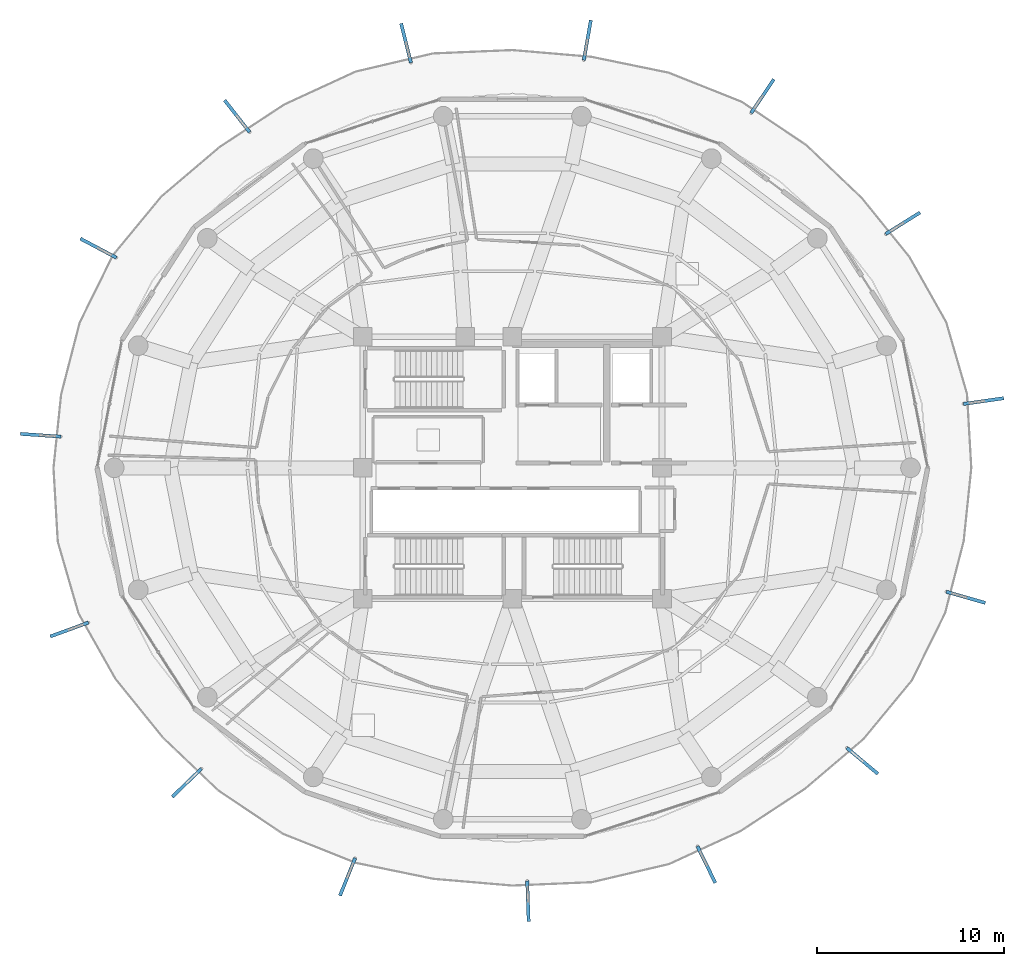
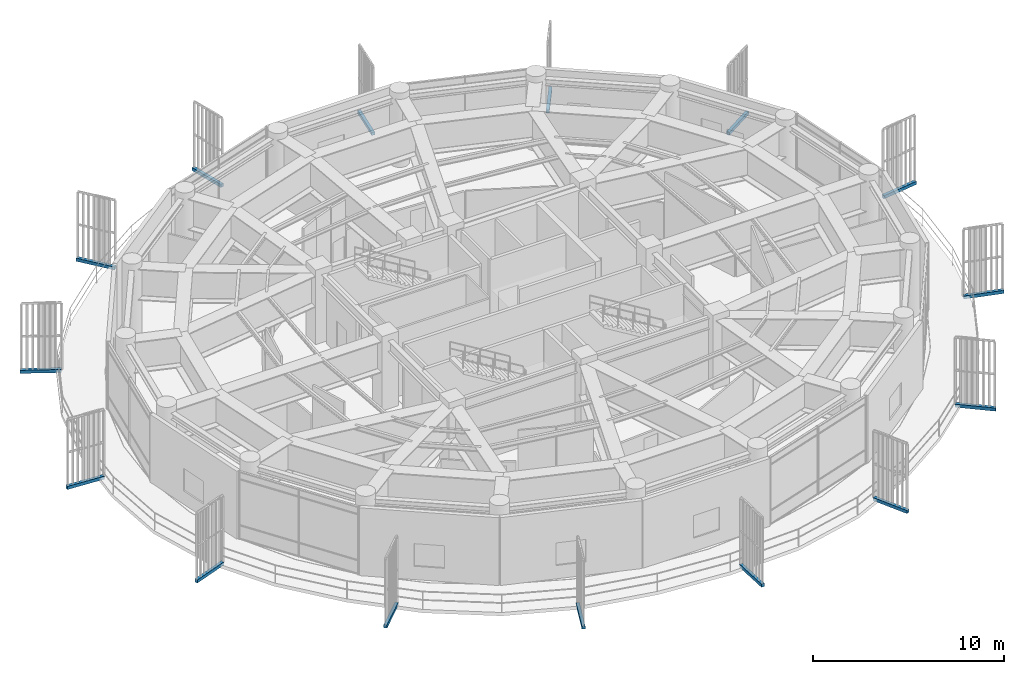
# One storey, part 25 of 29: 15 discrete accessories.
"""IFC4 building model written with IfcOpenShell, lengths in metres."""

from ifc_helpers import new_model, si_unit, direction, frame, origin, origin_2d, place, context, subcontext, project, spatial, rectangle, extrude, source, transform, mapped, material, type_object, element, save


model = new_model("IFC4")

# Units and contexts
model_context = context("Model", 3, precision=1e-05, world=origin(), true_north=direction((0.0, 1.0)))
body_context = subcontext(model_context, "Body", "Model", "MODEL_VIEW")
ifc_project = project(units=[si_unit("LENGTHUNIT", "METRE"), si_unit("AREAUNIT", "SQUARE_METRE"), si_unit("VOLUMEUNIT", "CUBIC_METRE"), si_unit("PLANEANGLEUNIT", "RADIAN"), si_unit("MASSUNIT", "GRAM", prefix="KILO")], contexts=[model_context])

# Site, building, storey
site_placement = place(None, origin())
site = spatial("IfcSite", under=ifc_project, at=site_placement, CompositionType="ELEMENT")
building_placement = place(site_placement, origin())
building = spatial("IfcBuilding", under=site, at=building_placement, Name="Kelanora Arch Commons", CompositionType="ELEMENT")
storey_placement = place(building_placement, frame((0.0, 0.0, 238.199951171875)))
storey = spatial("IfcBuildingStorey", under=building, at=storey_placement, Name="L61", CompositionType="ELEMENT", Elevation=238.199951171875)

# Discrete accessories
ifc_material = material(Name="Stainless steel 316 marine fin bracket", Category="steel")
discrete_accessory_type = type_object("IfcDiscreteAccessoryType", Name="ACC-FIN-BRK", PredefinedType="BRACKET", material=ifc_material)
shared_shape = source(origin(), body_context, "Body", "SweptSolid", [
    extrude(rectangle(XDim=2.16796875, YDim=0.179931640625, at=origin_2d()), origin(), (0.0, 0.0, 1.0), 0.199951171875),
])
for number, where, z_axis, x_axis, name in (
    (1, (92.705322265625, 42.33544921875, -0.16015625), (0.0, 0.0, 1.0), (0.766717148576, -0.641985057521, 0.0), "Sweeping Fin Cantilever Spine Bracket L61-00"),
    (2, (98.2353515625, 51.076171875, -0.16015625), (0.0, 0.0, 1.0), (0.961549815579, -0.274630573972, 0.0), "Sweeping Fin Cantilever Spine Bracket L61-01"),
    (3, (99.182861328125, 61.564208984375, -0.16015625), (0.0, 0.0, 1.0), (0.990121784063, 0.140210030757, 0.0), "Sweeping Fin Cantilever Spine Bracket L61-02"),
    (4, (94.869384765625, 71.06884765625, -0.16015625), (0.0, 0.0, 1.0), (0.847492701108, 0.5308070474, 0.0), "Sweeping Fin Cantilever Spine Bracket L61-03"),
    (5, (87.36669921875, 77.85888671875, -0.16015625), (0.0, 0.0, 1.0), (0.558324430902, 0.829622703317, 0.0), "Sweeping Fin Cantilever Spine Bracket L61-04"),
    (6, (78.006103515625, 80.85009765625, -0.16015625), (0.0, 0.0, 1.0), (0.172616794375, 0.984989056944, 0.0), "Sweeping Fin Cantilever Spine Bracket L61-05"),
    (7, (68.3173828125, 80.69677734375, -0.16015625), (0.0, 0.0, 1.0), (-0.242937854074, 0.970041854282, 0.0), "Sweeping Fin Cantilever Spine Bracket L61-06"),
    (8, (59.2890625, 76.79150390625, -0.16015625), (0.0, 0.0, 1.0), (-0.616486340532, 0.78736560246, 0.0), "Sweeping Fin Cantilever Spine Bracket L61-07"),
    (9, (51.873291015625, 69.7373046875, -0.16015625), (0.0, 0.0, 1.0), (-0.88343873811, 0.468546684981, 0.0), "Sweeping Fin Cantilever Spine Bracket L61-08"),
    (10, (48.785400390625, 59.738525390625, -0.16015625), (0.0, 0.0, 1.0), (-0.997636552079, 0.068711789056, 0.0), "Sweeping Fin Cantilever Spine Bracket L61-09"),
    (11, (50.3212890625, 49.35546875, -0.16015625), (0.0, 0.0, 1.0), (-0.939333942951, -0.343003999424, 0.0), "Sweeping Fin Cantilever Spine Bracket L61-10"),
    (12, (56.60400390625, 41.167724609375, -0.16015625), (0.0, 0.0, 1.0), (-0.718611961505, -0.69541128031, 0.0), "Sweeping Fin Cantilever Spine Bracket L61-11"),
    (13, (65.190185546875, 36.1337890625, -0.16015625), (0.0, 0.0, 1.0), (-0.37363544353, -0.927575633217, 0.0), "Sweeping Fin Cantilever Spine Bracket L61-12"),
    (14, (74.831298828125, 34.84326171875, -0.16015625), (0.0, 0.0, 1.0), (0.035946037002, -0.999353732381, 0.0), "Sweeping Fin Cantilever Spine Bracket L61-13"),
    (15, (84.36962890625, 36.791748046875, -0.16015625), (0.0, 0.0, 1.0), (0.439312121178, -0.898334492373, 0.0), "Sweeping Fin Cantilever Spine Bracket L61-14"),
):
    element("IfcDiscreteAccessory", number, at=place(storey_placement, frame(where, z_axis=z_axis, x_axis=x_axis)), inside=storey, type_object=discrete_accessory_type, Name=name, PredefinedType="BRACKET", context=body_context, shape_type="MappedRepresentation", body=[
        mapped(shared_shape, transform((0.0, 0.0, 0.0), scale=1.0)),
    ])

save(model, "model.ifc")
